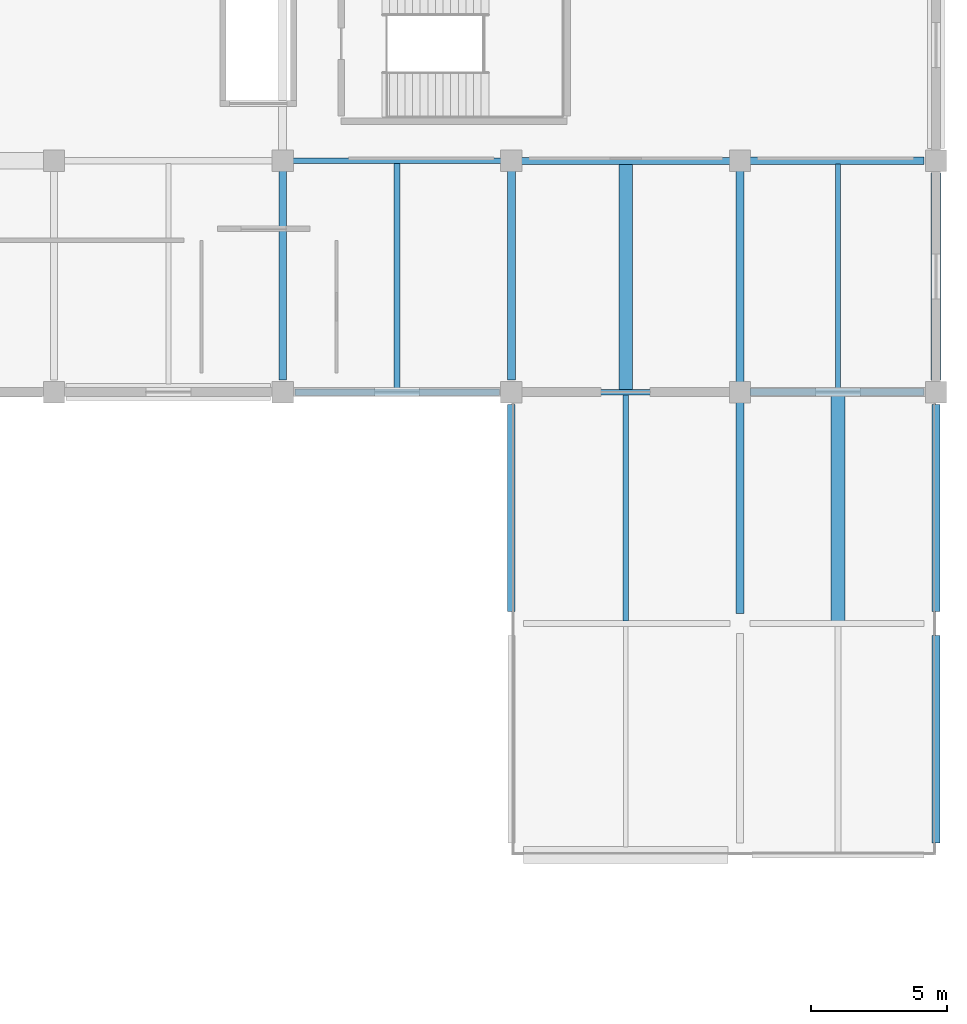
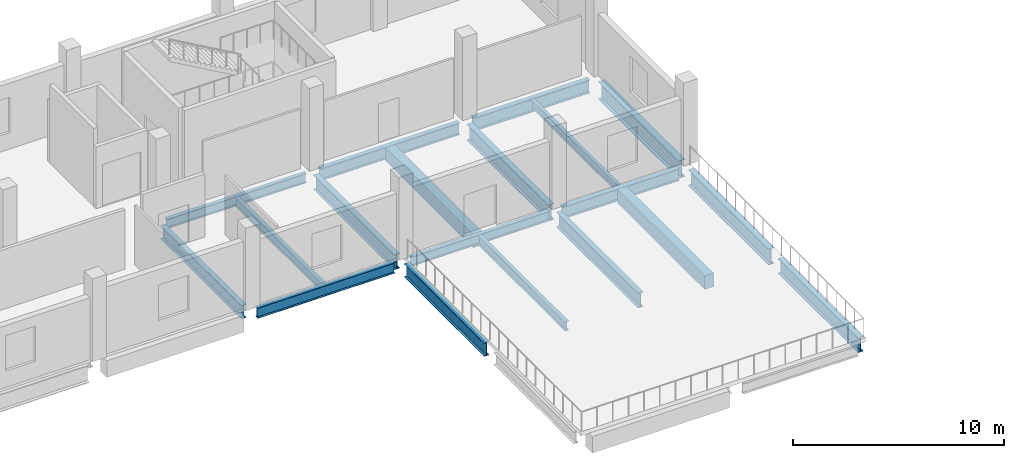
# One storey, part 73 of 117: 19 beams.
"""IFC4 building model written with IfcOpenShell, lengths in metres."""

from ifc_helpers import new_model, si_unit, direction, frame, origin, origin_2d, place, context, subcontext, project, spatial, rectangle, i_section, extrude, material, material_profile, profile_set, type_object, element, save


model = new_model("IFC4")

# Units and contexts
model_context = context("Model", 3, precision=1e-05, world=origin(), true_north=direction((0.0, 1.0)))
body_context = subcontext(model_context, "Body", "Model", "MODEL_VIEW")
ifc_project = project(units=[si_unit("LENGTHUNIT", "METRE"), si_unit("AREAUNIT", "SQUARE_METRE"), si_unit("VOLUMEUNIT", "CUBIC_METRE"), si_unit("PLANEANGLEUNIT", "RADIAN"), si_unit("MASSUNIT", "GRAM", prefix="KILO")], contexts=[model_context])

# Site, building, storey
site_placement = place(None, origin())
site = spatial("IfcSite", under=ifc_project, at=site_placement, CompositionType="ELEMENT")
building_placement = place(site_placement, origin())
building = spatial("IfcBuilding", under=site, at=building_placement, Name="Solvento Point Concert Hall", CompositionType="ELEMENT")
storey_placement = place(building_placement, frame((0.0, 0.0, 5.39990234375)))
storey = spatial("IfcBuildingStorey", under=building, at=storey_placement, Name="L01", CompositionType="ELEMENT", Elevation=5.39990234375)

# Beams
ifc_material_1 = material(Name="Concrete C35/45", Category="concrete")
ifc_material_profile_1 = material_profile(ifc_material_1, rectangle(XDim=0.5, YDim=0.800048828125, at=origin_2d()), Name="RC-BM-500X800")
ifc_profile_set_1 = profile_set([ifc_material_profile_1], Name="Concrete C35/45")
beam_type_1 = type_object("IfcBeamType", Name="Beam_RC_500x800", PredefinedType="BEAM", material=ifc_profile_set_1)
for number, where, z_axis, x_axis, name in (
    (1, (204.60009765625, 119.092041015625, -0.683837890625), (0.0, 1.0, 0.0), (-1.0, 0.0, 0.0), "Secondary floor joist B-63 L01"),
    (2, (212.39990234375, 110.592041015625, -0.683837890625), (0.0, 1.0, 0.0), (-1.0, 0.0, 0.0), "Secondary floor joist B-63 L01"),
):
    element("IfcBeam", number, at=place(storey_placement, frame(where, z_axis=z_axis, x_axis=x_axis)), inside=storey, type_object=beam_type_1, Name=name, PredefinedType="BEAM", context=body_context, shape_type="SweptSolid", body=[
        extrude(rectangle(XDim=0.5, YDim=0.800048828125, at=origin_2d()), origin(), (0.0, 0.0, 1.0), 8.294921875),
    ])
ifc_material_2 = material(Name="Structural Steel ASTM A992 Grade 50", Category="steel")
ifc_material_profile_2 = material_profile(ifc_material_2, i_section(OverallWidth=0.20947265625, OverallDepth=0.532958984375, WebThickness=0.01025390625, FlangeThickness=0.015625, at=origin_2d()), Name="W21X62")
ifc_profile_set_2 = profile_set([ifc_material_profile_2], Name="Structural Steel ASTM A992 Grade 50")
beam_type_2 = type_object("IfcBeamType", Name="Beam_W21X62", PredefinedType="BEAM", material=ifc_profile_set_2)
for number, where, z_axis, x_axis, name in (
    (3, (196.199951171875, 119.09912109375, -0.55029296875), (0.0, 1.0, 0.0), (-1.0, 0.0, 0.0), "Secondary floor joist B-25 L01"),
    (4, (204.60009765625, 110.59912109375, -0.55029296875), (0.0, 1.0, 0.0), (-1.0, 0.0, 0.0), "Secondary floor joist B-25 L01"),
):
    element("IfcBeam", number, at=place(storey_placement, frame(where, z_axis=z_axis, x_axis=x_axis)), inside=storey, type_object=beam_type_2, Name=name, PredefinedType="BEAM", context=body_context, shape_type="SweptSolid", body=[
        extrude(i_section(OverallWidth=0.20947265625, OverallDepth=0.532958984375, WebThickness=0.01025390625, FlangeThickness=0.015625, at=origin_2d()), origin(), (0.0, 0.0, 1.0), 8.308837890625),
    ])
ifc_material_3 = material(Name="Structural Steel ASTM A992 Grade 50", Category="steel")
ifc_material_profile_3 = material_profile(ifc_material_3, i_section(OverallWidth=0.214111328125, OverallDepth=0.549072265625, WebThickness=0.0146484375, FlangeThickness=0.023681640625, at=origin_2d()), Name="W21X93")
ifc_profile_set_3 = profile_set([ifc_material_profile_3], Name="Structural Steel ASTM A992 Grade 50")
beam_type_3 = type_object("IfcBeamType", Name="Beam_W21X93", PredefinedType="BEAM", material=ifc_profile_set_3)
beam_1_placement = place(storey_placement, frame((200.843994140625, 119.0, -0.558349609375), z_axis=(1.0, 0.0, 0.0), x_axis=(0.0, 1.0, 0.0)))
element("IfcBeam", 5, at=beam_1_placement, inside=storey, type_object=beam_type_3, Name="Primary girder B-48 L01", PredefinedType="BEAM", context=body_context, shape_type="SweptSolid", body=[
    extrude(i_section(OverallWidth=0.214111328125, OverallDepth=0.549072265625, WebThickness=0.0146484375, FlangeThickness=0.023681640625, at=origin_2d()), origin(), (0.0, 0.0, 1.0), 7.5869140625),
])
beam_2_placement = place(storey_placement, frame((192.368896484375, 127.5, -0.558349609375), z_axis=(1.0, 0.0, 0.0), x_axis=(0.0, 1.0, 0.0)))
element("IfcBeam", 6, at=beam_2_placement, inside=storey, type_object=beam_type_3, Name="Primary girder B-48 L01", PredefinedType="BEAM", context=body_context, shape_type="SweptSolid", body=[
    extrude(i_section(OverallWidth=0.214111328125, OverallDepth=0.549072265625, WebThickness=0.0146484375, FlangeThickness=0.023681640625, at=origin_2d()), origin(), (0.0, 0.0, 1.0), 7.662109375),
])
ifc_material_4 = material(Name="Structural Steel ASTM A992 Grade 50", Category="steel")
ifc_material_profile_4 = material_profile(ifc_material_4, i_section(OverallWidth=0.228515625, OverallDepth=0.60791015625, WebThickness=0.01123046875, FlangeThickness=0.017333984375, at=origin_2d()), Name="W24X76")
ifc_profile_set_4 = profile_set([ifc_material_profile_4], Name="Structural Steel ASTM A992 Grade 50")
beam_type_4 = type_object("IfcBeamType", Name="Beam_W24X76", PredefinedType="BEAM", material=ifc_profile_set_4)
beam_3_placement = place(storey_placement, frame((192.444091796875, 119.0, -0.587890625), z_axis=(1.0, 0.0, 0.0), x_axis=(0.0, 1.0, 0.0)))
element("IfcBeam", 7, at=beam_3_placement, inside=storey, type_object=beam_type_4, Name="Primary girder B-42 L01", PredefinedType="BEAM", context=body_context, shape_type="SweptSolid", body=[
    extrude(i_section(OverallWidth=0.228515625, OverallDepth=0.60791015625, WebThickness=0.01123046875, FlangeThickness=0.017333984375, at=origin_2d()), origin(), (0.0, 0.0, 1.0), 7.511962890625),
])
ifc_material_5 = material(Name="Structural Steel ASTM A992 Grade 50", Category="steel")
ifc_material_profile_5 = material_profile(ifc_material_5, i_section(OverallWidth=0.256103515625, OverallDepth=0.693115234375, WebThickness=0.014404296875, FlangeThickness=0.023681640625, at=origin_2d()), Name="W27X114")
ifc_profile_set_5 = profile_set([ifc_material_profile_5], Name="Structural Steel ASTM A992 Grade 50")
beam_type_5 = type_object("IfcBeamType", Name="Girder_W27X114", PredefinedType="USERDEFINED", material=ifc_profile_set_5)
beam_4_placement = place(storey_placement, frame((209.1689453125, 119.0, -0.63037109375), z_axis=(1.0, 0.0, 0.0), x_axis=(0.0, 1.0, 0.0)))
element("IfcBeam", 8, at=beam_4_placement, inside=storey, type_object=beam_type_5, Name="Primary girder B-23 L01", ObjectType="GIRDER", PredefinedType="USERDEFINED", context=body_context, shape_type="SweptSolid", body=[
    extrude(i_section(OverallWidth=0.256103515625, OverallDepth=0.693115234375, WebThickness=0.014404296875, FlangeThickness=0.023681640625, at=origin_2d()), origin(), (0.0, 0.0, 1.0), 6.386962890625),
])
beam_5_placement = place(storey_placement, frame((200.76904296875, 127.5, -0.63037109375), z_axis=(1.0, 0.0, 0.0), x_axis=(0.0, 1.0, 0.0)))
element("IfcBeam", 9, at=beam_5_placement, inside=storey, type_object=beam_type_5, Name="Primary girder B-23 L01", ObjectType="GIRDER", PredefinedType="USERDEFINED", context=body_context, shape_type="SweptSolid", body=[
    extrude(i_section(OverallWidth=0.256103515625, OverallDepth=0.693115234375, WebThickness=0.014404296875, FlangeThickness=0.023681640625, at=origin_2d()), origin(), (0.0, 0.0, 1.0), 7.661865234375),
])
ifc_material_6 = material(Name="Structural Steel ASTM A992 Grade 50", Category="steel")
ifc_material_profile_6 = material_profile(ifc_material_6, i_section(OverallWidth=0.26806640625, OverallDepth=0.77001953125, WebThickness=0.015625, FlangeThickness=0.025390625, at=origin_2d()), Name="W30X132")
ifc_profile_set_6 = profile_set([ifc_material_profile_6], Name="Structural Steel ASTM A992 Grade 50")
beam_type_6 = type_object("IfcBeamType", Name="Girder_W30X132", PredefinedType="USERDEFINED", material=ifc_profile_set_6)
beam_6_placement = place(storey_placement, frame((209.1689453125, 127.5, -0.6689453125), z_axis=(1.0, 0.0, 0.0), x_axis=(0.0, 1.0, 0.0)))
element("IfcBeam", 10, at=beam_6_placement, inside=storey, type_object=beam_type_6, Name="Primary girder B-68 L01", ObjectType="GIRDER", PredefinedType="USERDEFINED", context=body_context, shape_type="SweptSolid", body=[
    extrude(i_section(OverallWidth=0.26806640625, OverallDepth=0.77001953125, WebThickness=0.015625, FlangeThickness=0.025390625, at=origin_2d()), origin(), (0.0, 0.0, 1.0), 6.386962890625),
])
beam_7_placement = place(storey_placement, frame((192.0, 119.444091796875, -0.6689453125), z_axis=(0.0, 1.0, 0.0), x_axis=(-1.0, 0.0, 0.0)))
element("IfcBeam", 11, at=beam_7_placement, inside=storey, type_object=beam_type_6, Name="Primary girder B-68 L01", ObjectType="GIRDER", PredefinedType="USERDEFINED", context=body_context, shape_type="SweptSolid", body=[
    extrude(i_section(OverallWidth=0.26806640625, OverallDepth=0.77001953125, WebThickness=0.015625, FlangeThickness=0.025390625, at=origin_2d()), origin(), (0.0, 0.0, 1.0), 7.68701171875),
])
beam_8_placement = place(storey_placement, frame((200.39990234375, 110.944091796875, -0.62890625), z_axis=(0.0, 1.0, 0.0), x_axis=(-1.0, 0.0, 0.0)))
element("IfcBeam", 12, at=beam_8_placement, inside=storey, type_object=beam_type_6, Name="Primary girder B-68 L01", ObjectType="GIRDER", PredefinedType="USERDEFINED", context=body_context, shape_type="SweptSolid", body=[
    extrude(i_section(OverallWidth=0.26806640625, OverallDepth=0.77001953125, WebThickness=0.015625, FlangeThickness=0.025390625, at=origin_2d()), origin(), (0.0, 0.0, 1.0), 7.61181640625),
])
ifc_material_7 = material(Name="Structural Steel ASTM A992 Grade 50", Category="steel")
ifc_material_profile_7 = material_profile(ifc_material_7, i_section(OverallWidth=0.2919921875, OverallDepth=0.85888671875, WebThickness=0.01708984375, FlangeThickness=0.031005859375, at=origin_2d()), Name="W33X169")
ifc_profile_set_7 = profile_set([ifc_material_profile_7], Name="Structural Steel ASTM A992 Grade 50")
beam_type_7 = type_object("IfcBeamType", Name="Girder_W33X169", PredefinedType="USERDEFINED", material=ifc_profile_set_7)
beam_9_placement = place(storey_placement, frame((200.39990234375, 119.444091796875, -0.71337890625), z_axis=(0.0, 1.0, 0.0), x_axis=(-1.0, 0.0, 0.0)))
element("IfcBeam", 13, at=beam_9_placement, inside=storey, type_object=beam_type_7, Name="Primary girder B-33 L01", ObjectType="GIRDER", PredefinedType="USERDEFINED", context=body_context, shape_type="SweptSolid", body=[
    extrude(i_section(OverallWidth=0.2919921875, OverallDepth=0.85888671875, WebThickness=0.01708984375, FlangeThickness=0.031005859375, at=origin_2d()), origin(), (0.0, 0.0, 1.0), 7.68701171875),
])
beam_10_placement = place(storey_placement, frame((208.800048828125, 110.868896484375, -0.67333984375), z_axis=(0.0, 1.0, 0.0), x_axis=(-1.0, 0.0, 0.0)))
element("IfcBeam", 14, at=beam_10_placement, inside=storey, type_object=beam_type_7, Name="Primary girder B-33 L01", ObjectType="GIRDER", PredefinedType="USERDEFINED", context=body_context, shape_type="SweptSolid", body=[
    extrude(i_section(OverallWidth=0.2919921875, OverallDepth=0.85888671875, WebThickness=0.01708984375, FlangeThickness=0.031005859375, at=origin_2d()), origin(), (0.0, 0.0, 1.0), 7.76220703125),
])
beam_11_placement = place(storey_placement, frame((216.0, 102.444091796875, -0.67333984375), z_axis=(0.0, 1.0, 0.0), x_axis=(-1.0, 0.0, 0.0)))
element("IfcBeam", 15, at=beam_11_placement, inside=storey, type_object=beam_type_7, Name="Primary girder B-33 L01", ObjectType="GIRDER", PredefinedType="USERDEFINED", context=body_context, shape_type="SweptSolid", body=[
    extrude(i_section(OverallWidth=0.2919921875, OverallDepth=0.85888671875, WebThickness=0.01708984375, FlangeThickness=0.031005859375, at=origin_2d()), origin(), (0.0, 0.0, 1.0), 7.61181640625),
])
ifc_material_8 = material(Name="Structural Steel ASTM A992 Grade 50", Category="steel")
ifc_material_profile_8 = material_profile(ifc_material_8, i_section(OverallWidth=0.3076171875, OverallDepth=0.927001953125, WebThickness=0.019287109375, FlangeThickness=0.031982421875, at=origin_2d()), Name="W36X194")
ifc_profile_set_8 = profile_set([ifc_material_profile_8], Name="Structural Steel ASTM A992 Grade 50")
beam_type_8 = type_object("IfcBeamType", Name="Girder_W36X194", PredefinedType="USERDEFINED", material=ifc_profile_set_8)
beam_12_placement = place(storey_placement, frame((208.800048828125, 119.368896484375, -0.747314453125), z_axis=(0.0, 1.0, 0.0), x_axis=(-1.0, 0.0, 0.0)))
element("IfcBeam", 16, at=beam_12_placement, inside=storey, type_object=beam_type_8, Name="Primary girder B-61 L01", ObjectType="GIRDER", PredefinedType="USERDEFINED", context=body_context, shape_type="SweptSolid", body=[
    extrude(i_section(OverallWidth=0.3076171875, OverallDepth=0.927001953125, WebThickness=0.019287109375, FlangeThickness=0.031982421875, at=origin_2d()), origin(), (0.0, 0.0, 1.0), 7.76220703125),
])
beam_13_placement = place(storey_placement, frame((216.0, 110.944091796875, -0.70751953125), z_axis=(0.0, 1.0, 0.0), x_axis=(-1.0, 0.0, 0.0)))
element("IfcBeam", 17, at=beam_13_placement, inside=storey, type_object=beam_type_8, Name="Primary girder B-61 L01", ObjectType="GIRDER", PredefinedType="USERDEFINED", context=body_context, shape_type="SweptSolid", body=[
    extrude(i_section(OverallWidth=0.3076171875, OverallDepth=0.927001953125, WebThickness=0.019287109375, FlangeThickness=0.031982421875, at=origin_2d()), origin(), (0.0, 0.0, 1.0), 7.61181640625),
])
ifc_material_9 = material(Name="Structural Steel ASTM A992 Grade 50", Category="steel")
ifc_material_profile_9 = material_profile(ifc_material_9, i_section(OverallWidth=0.361083984375, OverallDepth=1.02587890625, WebThickness=0.01904296875, FlangeThickness=0.0361328125, at=origin_2d()), Name="W40X249")
ifc_profile_set_9 = profile_set([ifc_material_profile_9], Name="Structural Steel ASTM A992 Grade 50")
beam_type_9 = type_object("IfcBeamType", Name="Girder_W40X249", PredefinedType="USERDEFINED", material=ifc_profile_set_9)
beam_14_placement = place(storey_placement, frame((216.0, 119.444091796875, -0.796875), z_axis=(0.0, 1.0, 0.0), x_axis=(-1.0, 0.0, 0.0)))
element("IfcBeam", 18, at=beam_14_placement, inside=storey, type_object=beam_type_9, Name="Primary girder B-29 L01", ObjectType="GIRDER", PredefinedType="USERDEFINED", context=body_context, shape_type="SweptSolid", body=[
    extrude(i_section(OverallWidth=0.361083984375, OverallDepth=1.02587890625, WebThickness=0.01904296875, FlangeThickness=0.0361328125, at=origin_2d()), origin(), (0.0, 0.0, 1.0), 7.61181640625),
])
ifc_material_10 = material(Name="Structural Steel ASTM A992 Grade 50", Category="steel")
ifc_material_profile_10 = material_profile(ifc_material_10, i_section(OverallWidth=0.1904296875, OverallDepth=0.45703125, WebThickness=0.009033203125, FlangeThickness=0.014404296875, at=origin_2d()), Name="W18X50")
ifc_profile_set_10 = profile_set([ifc_material_profile_10], Name="Structural Steel ASTM A992 Grade 50")
beam_type_10 = type_object("IfcBeamType", Name="Joist_W18X50", PredefinedType="JOIST", material=ifc_profile_set_10)
beam_15_placement = place(storey_placement, frame((212.39990234375, 119.113037109375, -0.512451171875), z_axis=(0.0, 1.0, 0.0), x_axis=(-1.0, 0.0, 0.0)))
element("IfcBeam", 19, at=beam_15_placement, inside=storey, type_object=beam_type_10, Name="Secondary floor joist B-66 L01", PredefinedType="JOIST", context=body_context, shape_type="SweptSolid", body=[
    extrude(i_section(OverallWidth=0.1904296875, OverallDepth=0.45703125, WebThickness=0.009033203125, FlangeThickness=0.014404296875, at=origin_2d()), origin(), (0.0, 0.0, 1.0), 8.26806640625),
])

save(model, "model.ifc")
